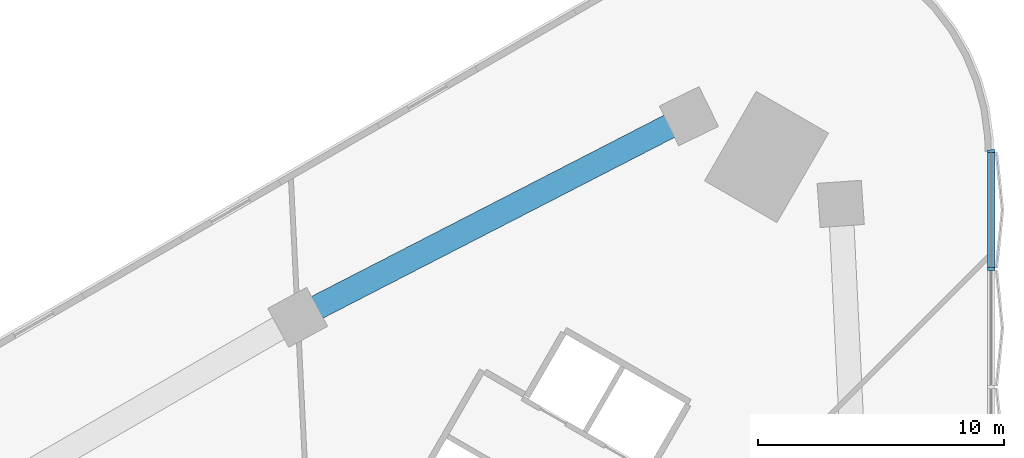
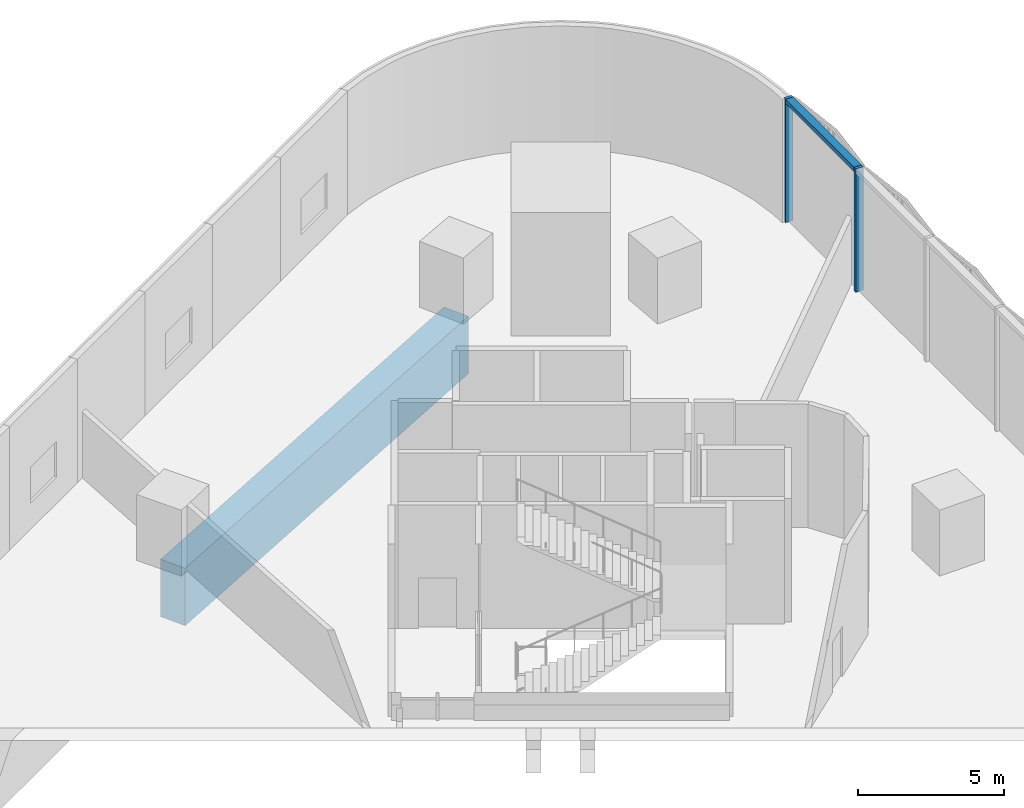
# One storey, part 9 of 31: 3 members, 1 beam, 1 element without a shape of its own.
"""IFC4 building model written with IfcOpenShell, lengths in metres."""

import ifcopenshell
import ifcopenshell.guid

model = None  # the IFC model being written
_history = None  # IfcOwnerHistory: only IFC2X3 demands one
_inside = {}  # id of a spatial element -> (the spatial element, [elements in it])
_under = {}  # id of a project, library or spatial element -> (it, [spatial elements below it])
_declared = {}  # id of a project -> (the project, [libraries it declares])
_typed = {}  # id of a type object -> (the type object, [elements of that type])
_made_of = {}  # id of a material, layer set ... -> (it, [elements and type objects made of it])


def new_model(schema):
    """Start an empty IFC model of exactly this schema.

    Asked for "IFC4X3", IfcOpenShell would pick the latest addendum, in which some entities
    have other attributes; the version numbers below select the first issue.
    IFC2X3 requires an IfcOwnerHistory on every rooted entity: one is made here for all.
    """
    global model, _history
    if schema == "IFC4X3":
        model = ifcopenshell.file(schema_version=(4, 3, 0, 0))
    else:
        model = ifcopenshell.file(schema=schema)
    _inside.clear()
    _under.clear()
    _declared.clear()
    _typed.clear()
    _made_of.clear()
    _history = None
    if model.schema == "IFC2X3":
        org = make("IfcOrganization", Name="unknown")
        user = make(
            "IfcPersonAndOrganization",
            ThePerson=make("IfcPerson", FamilyName="unknown"),
            TheOrganization=org,
        )
        app = make(
            "IfcApplication",
            ApplicationDeveloper=org,
            Version="unknown",
            ApplicationFullName="unknown",
            ApplicationIdentifier="unknown",
        )
        _history = make(
            "IfcOwnerHistory",
            OwningUser=user,
            OwningApplication=app,
            ChangeAction="ADDED",
            CreationDate=0,
        )
    return model


def make(cls, **values):
    """One entity of the class cls with the attributes given. An attribute that is None is left unset."""
    return model.create_entity(
        cls, **{name: value for name, value in values.items() if value is not None}
    )


def rooted(cls, **values):
    """An entity with a GlobalId (a new one), such as an element, a storey or a relation."""
    return make(cls, GlobalId=ifcopenshell.guid.new(), OwnerHistory=_history, **values)


def si_unit(unit_type, name, prefix=None):
    """IfcSIUnit, for example si_unit("LENGTHUNIT", "METRE", prefix="MILLI")."""
    return make("IfcSIUnit", UnitType=unit_type, Prefix=prefix, Name=name)


def assignment(units):
    """IfcUnitAssignment: the units of a project."""
    return None if units is None else make("IfcUnitAssignment", Units=units)


def point(xyz):
    """IfcCartesianPoint."""
    return None if xyz is None else make("IfcCartesianPoint", Coordinates=xyz)


def direction(xyz):
    """IfcDirection."""
    return None if xyz is None else make("IfcDirection", DirectionRatios=xyz)


def frame(location, z_axis=None, x_axis=None):
    """IfcAxis2Placement3D, a coordinate frame: its origin and axes. An axis left out is left unset."""
    return make(
        "IfcAxis2Placement3D",
        Location=point(location),
        Axis=direction(z_axis),
        RefDirection=direction(x_axis),
    )


def frame_2d(location, x_axis=None):
    """IfcAxis2Placement2D, a coordinate frame in the plane: its origin and x axis."""
    return make(
        "IfcAxis2Placement2D", Location=point(location), RefDirection=direction(x_axis)
    )


def origin():
    """The frame at (0, 0, 0) with its axes left unset."""
    return frame((0.0, 0.0, 0.0))


def origin_2d():
    """The frame at (0, 0) in the plane with its x axis left unset."""
    return frame_2d((0.0, 0.0))


def place(relative_to, where):
    """IfcLocalPlacement: puts the frame where relative to a parent placement (None: the world)."""
    return make(
        "IfcLocalPlacement", PlacementRelTo=relative_to, RelativePlacement=where
    )


def context(
    kind, dimensions, precision=None, world=None, true_north=None, identifier=None
):
    """IfcGeometricRepresentationContext, for example the 3D "Model" context."""
    return make(
        "IfcGeometricRepresentationContext",
        ContextIdentifier=identifier,
        ContextType=kind,
        CoordinateSpaceDimension=dimensions,
        Precision=precision,
        WorldCoordinateSystem=world,
        TrueNorth=true_north,
    )


def subcontext(parent, identifier, kind, view, scale=None):
    """IfcGeometricRepresentationSubContext, for example "Body" below "Model"."""
    return make(
        "IfcGeometricRepresentationSubContext",
        ContextIdentifier=identifier,
        ContextType=kind,
        ParentContext=parent,
        TargetScale=scale,
        TargetView=view,
    )


def project(units=None, contexts=None):
    """IfcProject with its units and contexts."""
    return rooted(
        "IfcProject",
        Name="project",
        RepresentationContexts=contexts,
        UnitsInContext=assignment(units),
    )


def spatial(cls, under=None, at=None, **own):
    """A site, building, storey or space (cls), placed at a placement, below another one or the project."""
    s = rooted(cls, ObjectPlacement=at, **own)
    if under is not None:
        _under.setdefault(under.id(), (under, []))[1].append(s)
    return s


def profile(cls, at=None, kind="AREA", **sizes):
    """A parametric profile (cls). Its sizes go by their IFC names, for example OverallWidth=200.0."""
    return make(cls, ProfileType=kind, Position=at, **sizes)


def rectangle(**sizes):
    """IfcRectangleProfileDef."""
    return profile("IfcRectangleProfileDef", **sizes)


def extrude(swept, where, along, depth):
    """IfcExtrudedAreaSolid: the profile swept, set in the frame where, extruded along a direction by depth."""
    return make(
        "IfcExtrudedAreaSolid",
        SweptArea=swept,
        Position=where,
        ExtrudedDirection=direction(along),
        Depth=depth,
    )


def shape(context_of_items, identifier, shape_type, items):
    """IfcShapeRepresentation: the items that make up one representation, for example the "Body"."""
    return make(
        "IfcShapeRepresentation",
        ContextOfItems=context_of_items,
        RepresentationIdentifier=identifier,
        RepresentationType=shape_type,
        Items=items,
    )


def material(Name=None, Category=None):
    """IfcMaterial."""
    return make("IfcMaterial", Name=Name, Category=Category)


def material_profile(
    of_material, cross_section, Name=None, Category=None, Priority=None
):
    """IfcMaterialProfile: a cross section and its material."""
    return make(
        "IfcMaterialProfile",
        Name=Name,
        Material=of_material,
        Profile=cross_section,
        Priority=Priority,
        Category=Category,
    )


def profile_set(profiles, Name=None, composite=None):
    """IfcMaterialProfileSet."""
    return make(
        "IfcMaterialProfileSet",
        Name=Name,
        MaterialProfiles=profiles,
        CompositeProfile=composite,
    )


def made_of(thing, what):
    """Note that an element or type object is made of a material, layer set ...; save() writes the relation."""
    if what is not None:
        _made_of.setdefault(what.id(), (what, []))[1].append(thing)
    return thing


def type_object(cls, material=None, **own):
    """A type object (cls), such as IfcWallType, which elements share."""
    return made_of(rooted(cls, **own), material)


def element(
    cls,
    number,
    at=None,
    inside=None,
    cuts=None,
    type_object=None,
    material=None,
    context=None,
    identifier="Body",
    shape_type=None,
    held_by="IfcProductDefinitionShape",
    body=None,
    shapes=None,
    **own,
):
    """One element of the class cls, such as IfcWall. Its Tag is "e" and its number.

    at: its placement. inside: the storey or other place that contains it. cuts: it is an
    opening in that element (IfcRelVoidsElement). A single representation is given by context,
    identifier, shape_type and body (its items); several are given by shapes. held_by: the class
    of the entity that holds the representations. save() writes the other relations.
    """
    e = rooted(cls, Tag="e%d" % number, ObjectPlacement=at, **own)
    if body is not None:
        shapes = [shape(context, identifier, shape_type, body)]
    if shapes is not None:
        e.Representation = make(held_by, Representations=shapes)
    if inside is not None:
        _inside.setdefault(inside.id(), (inside, []))[1].append(e)
    if cuts is not None:
        rooted(
            "IfcRelVoidsElement", RelatingBuildingElement=cuts, RelatedOpeningElement=e
        )
    if type_object is not None:
        _typed.setdefault(type_object.id(), (type_object, []))[1].append(e)
    return made_of(e, material)


def aggregate(whole, parts):
    """IfcRelAggregates: a whole, such as a stair, and the parts it consists of."""
    return rooted("IfcRelAggregates", RelatingObject=whole, RelatedObjects=parts)


def save(model, path):
    """Write the relations noted so far, then the file.

    IfcRelAggregates (storeys below a building ...), IfcRelContainedInSpatialStructure (elements
    in a storey), IfcRelDefinesByType, IfcRelAssociatesMaterial and IfcRelDeclares: one each for
    every whole, place, type object, material and project.
    """
    for whole, parts in _under.values():
        aggregate(whole, parts)
    for where, things in _inside.values():
        rooted(
            "IfcRelContainedInSpatialStructure",
            RelatedElements=things,
            RelatingStructure=where,
        )
    for kind, things in _typed.values():
        rooted("IfcRelDefinesByType", RelatedObjects=things, RelatingType=kind)
    for what, things in _made_of.values():
        rooted("IfcRelAssociatesMaterial", RelatedObjects=things, RelatingMaterial=what)
    for by, libraries in _declared.values():
        rooted("IfcRelDeclares", RelatingContext=by, RelatedDefinitions=libraries)
    model.write(path)


model = new_model("IFC4")

# Units and contexts
model_context = context("Model", 3, precision=1e-05, world=origin(), true_north=direction((0.0, 1.0)))
body_context = subcontext(model_context, "Body", "Model", "MODEL_VIEW")
ifc_project = project(units=[si_unit("LENGTHUNIT", "METRE"), si_unit("AREAUNIT", "SQUARE_METRE"), si_unit("VOLUMEUNIT", "CUBIC_METRE"), si_unit("PLANEANGLEUNIT", "RADIAN"), si_unit("MASSUNIT", "GRAM", prefix="KILO")], contexts=[model_context])

# Site, building, storey
site_placement = place(None, origin())
site = spatial("IfcSite", under=ifc_project, at=site_placement, CompositionType="ELEMENT")
building_placement = place(site_placement, origin())
building = spatial("IfcBuilding", under=site, at=building_placement, Name="Tamra Quay Hotel Tower", CompositionType="ELEMENT")
storey_placement = place(building_placement, frame((0.0, 0.0, 14.0)))
storey = spatial("IfcBuildingStorey", under=building, at=storey_placement, Name="L02", CompositionType="ELEMENT", Elevation=14.0)

# Curtain wall, members
ifc_material_1 = material(Name="Aluminium 6063 anodised dark grey", Category="aluminium")
curtain_wall_type = type_object("IfcCurtainWallType", Name="CW4 CURTAIN WALL", PredefinedType="NOTDEFINED", material=ifc_material_1)
curtain_wall_placement = place(storey_placement, origin())
curtain_wall = element("IfcCurtainWall", 1, at=curtain_wall_placement, inside=storey, type_object=curtain_wall_type, Name="CW4 east face L02", PredefinedType="NOTDEFINED")
ifc_material_profile_1 = material_profile(ifc_material_1, rectangle(XDim=0.300048828125, YDim=0.1201171875, at=origin_2d()), Name="MULLION 120X300")
ifc_profile_set_1 = profile_set([ifc_material_profile_1], Name="Aluminium 6063 anodised dark grey")
member_type_1 = type_object("IfcMemberType", Name="MULLION CW4", PredefinedType="MULLION", material=ifc_profile_set_1)
member_1_placement = place(storey_placement, frame((27.0, 26.38037109375, 0.0), z_axis=(0.0, 0.0, 1.0), x_axis=(1.0, 0.0, 0.0)))
member_1 = element("IfcMember", 2, at=member_1_placement, type_object=member_type_1, Name="CW4 mullion L02.E.17", PredefinedType="MULLION", context=body_context, shape_type="SweptSolid", body=[
    extrude(rectangle(XDim=0.300048828125, YDim=0.1201171875, at=origin_2d()), origin(), (0.0, 0.0, 1.0), 5.14990234375),
])
member_2_placement = place(storey_placement, frame((27.0, 31.177001953125, 0.0), z_axis=(0.0, 0.0, 1.0), x_axis=(0.99986613791, 0.016361731626, 0.0)))
member_2 = element("IfcMember", 3, at=member_2_placement, type_object=member_type_1, Name="CW4 mullion L02.E.18", PredefinedType="MULLION", context=body_context, shape_type="SweptSolid", body=[
    extrude(rectangle(XDim=0.300048828125, YDim=0.1201171875, at=origin_2d()), origin(), (0.0, 0.0, 1.0), 5.14990234375),
])

# Beam
ifc_material_2 = material(Name="Concrete M60", Category="concrete")
ifc_material_profile_2 = material_profile(ifc_material_2, rectangle(XDim=1.0, YDim=2.39990234375, at=origin_2d()), Name="PODIUM RING GIRDER RC 1000x2400")
ifc_profile_set_2 = profile_set([ifc_material_profile_2], Name="Concrete M60")
beam_type = type_object("IfcBeamType", Name="PODIUM RING GIRDER RC 1000x2400", PredefinedType="BEAM", material=ifc_profile_set_2)
beam_placement = place(storey_placement, frame((14.70458984375, 32.5986328125, -1.550048828125), z_axis=(-0.889334920836, -0.457256381673, 0.0), x_axis=(0.457256381673, -0.889334920836, 0.0)))
element("IfcBeam", 4, at=beam_placement, inside=storey, type_object=beam_type, Name="BM-PG004-L02", PredefinedType="BEAM", context=body_context, shape_type="SweptSolid", body=[
    extrude(rectangle(XDim=1.0, YDim=2.39990234375, at=origin_2d()), origin(), (0.0, 0.0, 1.0), 17.880615234375),
])

# Member
ifc_material_profile_3 = material_profile(ifc_material_1, rectangle(XDim=0.300048828125, YDim=0.179931640625, at=origin_2d()), Name="TRANSOM 300X180")
ifc_profile_set_3 = profile_set([ifc_material_profile_3], Name="Aluminium 6063 anodised dark grey")
member_type_2 = type_object("IfcMemberType", Name="TRANSOM CW4", PredefinedType="USERDEFINED", material=ifc_profile_set_3)
member_3_placement = place(storey_placement, frame((27.0, 26.4404296875, 5.06005859375), z_axis=(0.0, 1.0, 0.0), x_axis=(-1.0, 0.0, 0.0)))
member_3 = element("IfcMember", 5, at=member_3_placement, type_object=member_type_2, Name="CW4 transom L02.E.17", ObjectType="TRANSOM", PredefinedType="USERDEFINED", context=body_context, shape_type="SweptSolid", body=[
    extrude(rectangle(XDim=0.300048828125, YDim=0.179931640625, at=origin_2d()), origin(), (0.0, 0.0, 1.0), 4.676513671875),
])

aggregate(curtain_wall, [member_1, member_3, member_2])

save(model, "model.ifc")
